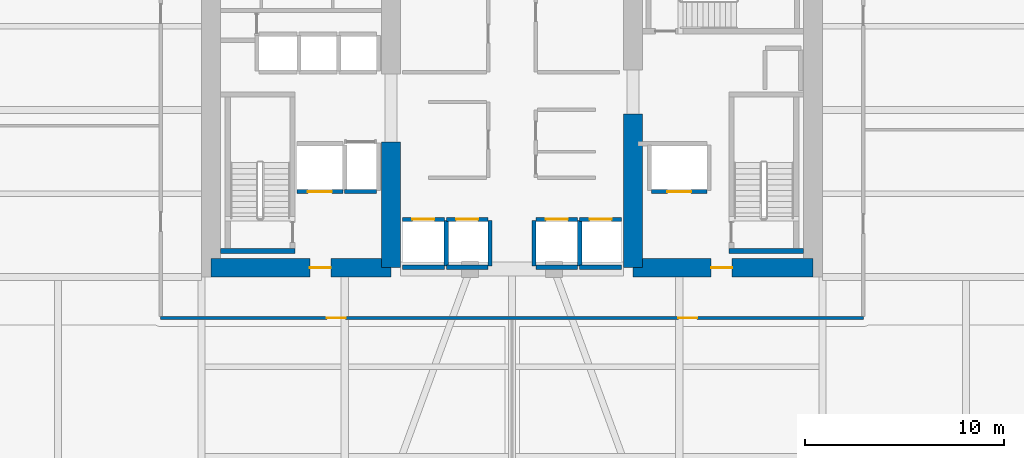
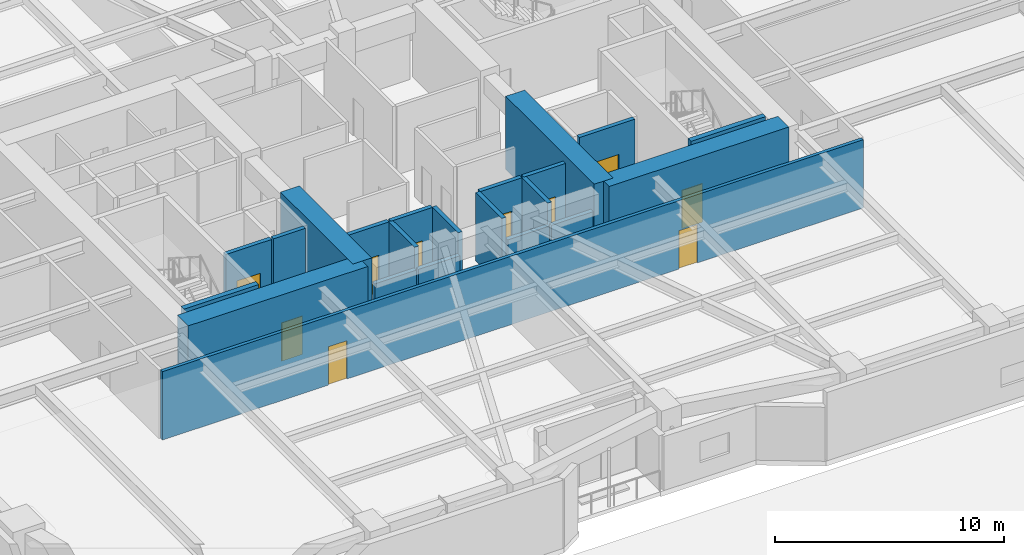
# One storey, part 28 of 38: 22 walls, 10 doors, 10 openings.
"""IFC4 building model written with IfcOpenShell, lengths in metres."""

from ifc_helpers import new_model, si_unit, direction, frame, frame_2d, origin, place, context, subcontext, project, spatial, rectangle, extrude, material, layer, layer_set, type_object, element, fill, save


model = new_model("IFC4")

# Units and contexts
model_context = context("Model", 3, precision=1e-05, world=origin(), true_north=direction((0.0, 1.0)))
body_context = subcontext(model_context, "Body", "Model", "MODEL_VIEW")
ifc_project = project(units=[si_unit("LENGTHUNIT", "METRE"), si_unit("AREAUNIT", "SQUARE_METRE"), si_unit("VOLUMEUNIT", "CUBIC_METRE"), si_unit("PLANEANGLEUNIT", "RADIAN"), si_unit("MASSUNIT", "GRAM", prefix="KILO")], contexts=[model_context])

# Site, building, storey
site_placement = place(None, origin())
site = spatial("IfcSite", under=ifc_project, at=site_placement, CompositionType="ELEMENT")
building_placement = place(site_placement, origin())
building = spatial("IfcBuilding", under=site, at=building_placement, Name="Kiyonajd Concourse Tower", CompositionType="ELEMENT")
storey_placement = place(building_placement, frame((0.0, 0.0, 21.60009765625)))
storey = spatial("IfcBuildingStorey", under=building, at=storey_placement, Name="L06", CompositionType="ELEMENT", Elevation=21.60009765625)

# Wall
ifc_material_1 = material(Name="Concrete C80/95", Category="concrete")
ifc_layer_1 = layer(ifc_material_1, 0.949951171875)
ifc_layer_set_1 = layer_set([ifc_layer_1], Name="Concrete C80/95")
wall_type_1 = type_object("IfcWallType", Name="WL-CORE-950", PredefinedType="SHEAR", material=ifc_layer_set_1)
wall_1_placement = place(storey_placement, frame((41.925048828125, 28.074951171875, 0.0), z_axis=(0.0, 0.0, 1.0), x_axis=(0.0, 1.0, 0.0)))
element("IfcWall", 1, at=wall_1_placement, inside=storey, type_object=wall_type_1, Name="L06 West Core Inner South Shear Wall", PredefinedType="SHEAR", context=body_context, shape_type="SweptSolid", body=[
    extrude(rectangle(XDim=6.324951171875, YDim=0.949951171875, at=frame_2d((3.16259765625, 0.0))), origin(), (0.0, 0.0, 1.0), 3.89990234375),
])

# Wall, opening, door
wall_2_placement = place(storey_placement, frame((32.875, 28.074951171875, 0.0), z_axis=(0.0, 0.0, 1.0), x_axis=(1.0, 0.0, 0.0)))
wall_2 = element("IfcWall", 2, at=wall_2_placement, inside=storey, type_object=wall_type_1, Name="L06 West Core South Shear Wall", PredefinedType="SHEAR", context=body_context, shape_type="SweptSolid", body=[
    extrude(rectangle(XDim=9.050048828125, YDim=0.949951171875, at=frame_2d((4.52490234375, 0.0))), origin(), (0.0, 0.0, 1.0), 3.89990234375),
])
opening_1_placement = place(wall_2_placement, frame((4.97509765625, 0.0, 0.0)))
opening_1 = element("IfcOpeningElement", 3, at=opening_1_placement, cuts=wall_2, Name="Opening DF5", PredefinedType="OPENING", context=body_context, shape_type="SweptSolid", body=[
    extrude(rectangle(XDim=1.050048828125, YDim=2.0400390625, at=frame_2d((0.52490234375, 1.02001953125))), frame((0.0, 0.48486328125, 0.0), z_axis=(0.0, -1.0, 0.0), x_axis=(1.0, 0.0, 0.0)), (0.0, 0.0, 1.0), 0.969970703125),
])
ifc_material_2 = material(Name="Brushed Stainless Steel Cab Assembly", Category="steel")
door_type_1 = type_object("IfcDoorType", Name="DR-FD45-1050", OperationType="NOTDEFINED", PredefinedType="DOOR", material=ifc_material_2)
door_1_placement = place(opening_1_placement, origin())
door_1 = element("IfcDoor", 4, at=door_1_placement, inside=storey, type_object=door_type_1, Name="L06 Firefighting Lift Lobby W Smoke Door", OperationType="SINGLE_SWING_LEFT", OverallHeight=2.0400390625, OverallWidth=1.050048828125, PredefinedType="DOOR", context=body_context, shape_type="SweptSolid", body=[
    extrude(rectangle(XDim=1.050048828125, YDim=2.0400390625, at=frame_2d((0.52490234375, 1.02001953125))), frame((0.0, 0.02490234375, 0.0), z_axis=(0.0, -1.0, 0.0), x_axis=(1.0, 0.0, 0.0)), (0.0, 0.0, 1.0), 0.050048828125),
])
fill(opening_1, door_1)

# Wall
wall_3_placement = place(storey_placement, frame((54.074951171875, 28.074951171875, 0.0), z_axis=(0.0, 0.0, 1.0), x_axis=(0.0, 1.0, 0.0)))
element("IfcWall", 5, at=wall_3_placement, inside=storey, type_object=wall_type_1, Name="L06 East Core Inner South Shear Wall", PredefinedType="SHEAR", context=body_context, shape_type="SweptSolid", body=[
    extrude(rectangle(XDim=7.72509765625, YDim=0.949951171875, at=frame_2d((3.862548828125, 0.0))), origin(), (0.0, 0.0, 1.0), 3.89990234375),
])

# Wall, opening, door
wall_4_placement = place(storey_placement, frame((54.074951171875, 28.074951171875, 0.0), z_axis=(0.0, 0.0, 1.0), x_axis=(1.0, 0.0, 0.0)))
wall_4 = element("IfcWall", 6, at=wall_4_placement, inside=storey, type_object=wall_type_1, Name="L06 East Core South Shear Wall", PredefinedType="SHEAR", context=body_context, shape_type="SweptSolid", body=[
    extrude(rectangle(XDim=9.050048828125, YDim=0.949951171875, at=frame_2d((4.52490234375, 0.0))), origin(), (0.0, 0.0, 1.0), 3.89990234375),
])
opening_2_placement = place(wall_4_placement, frame((3.925048828125, 0.0, 0.0)))
opening_2 = element("IfcOpeningElement", 7, at=opening_2_placement, cuts=wall_4, Name="Opening DF5", PredefinedType="OPENING", context=body_context, shape_type="SweptSolid", body=[
    extrude(rectangle(XDim=1.050048828125, YDim=2.0400390625, at=frame_2d((0.52490234375, 1.02001953125))), frame((0.0, 0.48486328125, 0.0), z_axis=(0.0, -1.0, 0.0), x_axis=(1.0, 0.0, 0.0)), (0.0, 0.0, 1.0), 0.969970703125),
])
door_2_placement = place(opening_2_placement, origin())
door_2 = element("IfcDoor", 8, at=door_2_placement, inside=storey, type_object=door_type_1, Name="L06 Firefighting Lift Lobby E Smoke Door", OperationType="SINGLE_SWING_RIGHT", OverallHeight=2.0400390625, OverallWidth=1.050048828125, PredefinedType="DOOR", context=body_context, shape_type="SweptSolid", body=[
    extrude(rectangle(XDim=1.050048828125, YDim=2.0400390625, at=frame_2d((0.52490234375, 1.02001953125))), frame((0.0, 0.02490234375, 0.0), z_axis=(0.0, -1.0, 0.0), x_axis=(1.0, 0.0, 0.0)), (0.0, 0.0, 1.0), 0.050048828125),
])
fill(opening_2, door_2)

ifc_material_3 = material(Name="Gypsum Board on Cold-Formed Steel Stud", Category="steel")
ifc_layer_2 = layer(ifc_material_3, 0.2099609375)
ifc_layer_set_2 = layer_set([ifc_layer_2], Name="Gypsum Board on Cold-Formed Steel Stud")
wall_type_2 = type_object("IfcWallType", Name="WL-SHAFT-210", PredefinedType="PARTITIONING", material=ifc_layer_set_2)
wall_5_placement = place(storey_placement, frame((37.199951171875, 31.89990234375, 0.0), z_axis=(0.0, 0.0, 1.0), x_axis=(1.0, 0.0, 0.0)))
wall_5 = element("IfcWall", 9, at=wall_5_placement, inside=storey, type_object=wall_type_2, Name="L06 Shaft Enclosure Wall", PredefinedType="PARTITIONING", context=body_context, shape_type="SweptSolid", body=[
    extrude(rectangle(XDim=2.300048828125, YDim=0.2099609375, at=frame_2d((1.14990234375, 0.0))), origin(), (0.0, 0.0, 1.0), 3.639892578125),
])
opening_3_placement = place(wall_5_placement, frame((0.550048828125, 0.0, 0.0)))
opening_3 = element("IfcOpeningElement", 10, at=opening_3_placement, cuts=wall_5, Name="Opening LD2", PredefinedType="OPENING", context=body_context, shape_type="SweptSolid", body=[
    extrude(rectangle(XDim=1.199951171875, YDim=2.0400390625, at=frame_2d((0.60009765625, 1.02001953125))), frame((0.0, 0.114990234375, 0.0), z_axis=(0.0, -1.0, 0.0), x_axis=(1.0, 0.0, 0.0)), (0.0, 0.0, 1.0), 0.22998046875),
])
door_type_2 = type_object("IfcDoorType", Name="DR-LD-1200", OperationType="DOUBLE_DOOR_SLIDING", PredefinedType="DOOR", material=ifc_material_2)
door_3_placement = place(opening_3_placement, origin())
door_3 = element("IfcDoor", 11, at=door_3_placement, inside=storey, type_object=door_type_2, Name="L06 Lift FFL1 Sliding Landing Door", OperationType="DOUBLE_DOOR_SLIDING", OverallHeight=2.0400390625, OverallWidth=1.199951171875, PredefinedType="DOOR", context=body_context, shape_type="SweptSolid", body=[
    extrude(rectangle(XDim=1.199951171875, YDim=2.0400390625, at=frame_2d((0.60009765625, 1.02001953125))), frame((0.0, 0.02490234375, 0.0), z_axis=(0.0, -1.0, 0.0), x_axis=(1.0, 0.0, 0.0)), (0.0, 0.0, 1.0), 0.050048828125),
])
fill(opening_3, door_3)

wall_6_placement = place(storey_placement, frame((55.0, 31.89990234375, 0.0), z_axis=(0.0, 0.0, 1.0), x_axis=(1.0, 0.0, 0.0)))
wall_6 = element("IfcWall", 12, at=wall_6_placement, inside=storey, type_object=wall_type_2, Name="L06 Shaft Enclosure Wall", PredefinedType="PARTITIONING", context=body_context, shape_type="SweptSolid", body=[
    extrude(rectangle(XDim=2.800048828125, YDim=0.2099609375, at=frame_2d((1.39990234375, 0.0))), origin(), (0.0, 0.0, 1.0), 3.639892578125),
])
opening_4_placement = place(wall_6_placement, frame((0.800048828125, 0.0, 0.0)))
opening_4 = element("IfcOpeningElement", 13, at=opening_4_placement, cuts=wall_6, Name="Opening LD2", PredefinedType="OPENING", context=body_context, shape_type="SweptSolid", body=[
    extrude(rectangle(XDim=1.199951171875, YDim=2.0400390625, at=frame_2d((0.60009765625, 1.02001953125))), frame((0.0, 0.114990234375, 0.0), z_axis=(0.0, -1.0, 0.0), x_axis=(1.0, 0.0, 0.0)), (0.0, 0.0, 1.0), 0.22998046875),
])
door_4_placement = place(opening_4_placement, origin())
door_4 = element("IfcDoor", 14, at=door_4_placement, inside=storey, type_object=door_type_2, Name="L06 Lift FFL2 Sliding Landing Door", OperationType="DOUBLE_DOOR_SLIDING", OverallHeight=2.0400390625, OverallWidth=1.199951171875, PredefinedType="DOOR", context=body_context, shape_type="SweptSolid", body=[
    extrude(rectangle(XDim=1.199951171875, YDim=2.0400390625, at=frame_2d((0.60009765625, 1.02001953125))), frame((0.0, 0.02490234375, 0.0), z_axis=(0.0, -1.0, 0.0), x_axis=(1.0, 0.0, 0.0)), (0.0, 0.0, 1.0), 0.050048828125),
])
fill(opening_4, door_4)

# Wall
wall_7_placement = place(storey_placement, frame((39.60009765625, 31.89990234375, 0.0), z_axis=(0.0, 0.0, 1.0), x_axis=(1.0, 0.0, 0.0)))
element("IfcWall", 15, at=wall_7_placement, inside=storey, type_object=wall_type_2, Name="L06 Shaft Enclosure Wall", PredefinedType="PARTITIONING", context=body_context, shape_type="SweptSolid", body=[
    extrude(rectangle(XDim=1.599853515625, YDim=0.2099609375, at=frame_2d((0.7998046875, 0.0))), origin(), (0.0, 0.0, 1.0), 3.639892578125),
])

# Wall, opening, door
wall_8_placement = place(storey_placement, frame((42.5, 30.5, 0.0), z_axis=(0.0, 0.0, 1.0), x_axis=(1.0, 0.0, 0.0)))
wall_8 = element("IfcWall", 16, at=wall_8_placement, inside=storey, type_object=wall_type_2, Name="L06 Shaft Enclosure Wall", PredefinedType="PARTITIONING", context=body_context, shape_type="SweptSolid", body=[
    extrude(rectangle(XDim=2.10009765625, YDim=0.2099609375, at=frame_2d((1.050048828125, 0.0))), origin(), (0.0, 0.0, 1.0), 3.639892578125),
])
opening_5_placement = place(wall_8_placement, frame((0.5, 0.0, 0.0)))
opening_5 = element("IfcOpeningElement", 17, at=opening_5_placement, cuts=wall_8, Name="Opening LD1", PredefinedType="OPENING", context=body_context, shape_type="SweptSolid", body=[
    extrude(rectangle(XDim=1.10009765625, YDim=2.0400390625, at=frame_2d((0.550048828125, 1.02001953125))), frame((0.0, 0.114990234375, 0.0), z_axis=(0.0, -1.0, 0.0), x_axis=(1.0, 0.0, 0.0)), (0.0, 0.0, 1.0), 0.22998046875),
])
door_type_3 = type_object("IfcDoorType", Name="DR-LD-1100", OperationType="DOUBLE_DOOR_SLIDING", PredefinedType="DOOR", material=ifc_material_2)
door_5_placement = place(opening_5_placement, origin())
door_5 = element("IfcDoor", 18, at=door_5_placement, inside=storey, type_object=door_type_3, Name="L06 Lift PL-L1 Sliding Landing Door", OperationType="DOUBLE_DOOR_SLIDING", OverallHeight=2.0400390625, OverallWidth=1.10009765625, PredefinedType="DOOR", context=body_context, shape_type="SweptSolid", body=[
    extrude(rectangle(XDim=1.10009765625, YDim=2.0400390625, at=frame_2d((0.550048828125, 1.02001953125))), frame((0.0, 0.02490234375, 0.0), z_axis=(0.0, -1.0, 0.0), x_axis=(1.0, 0.0, 0.0)), (0.0, 0.0, 1.0), 0.050048828125),
])
fill(opening_5, door_5)

# Walls
wall_9_placement = place(storey_placement, frame((42.5, 28.10009765625, 0.0), z_axis=(0.0, 0.0, 1.0), x_axis=(1.0, 0.0, 0.0)))
element("IfcWall", 19, at=wall_9_placement, inside=storey, type_object=wall_type_2, Name="L06 Shaft Enclosure Wall", PredefinedType="PARTITIONING", context=body_context, shape_type="SweptSolid", body=[
    extrude(rectangle(XDim=2.10009765625, YDim=0.2099609375, at=frame_2d((1.050048828125, 0.0))), origin(), (0.0, 0.0, 1.0), 2.52490234375),
])
wall_10_placement = place(storey_placement, frame((44.699951171875, 28.159912109375, 0.0), z_axis=(0.0, 0.0, 1.0), x_axis=(0.0, 1.0, 0.0)))
element("IfcWall", 20, at=wall_10_placement, inside=storey, type_object=wall_type_2, Name="L06 Shaft Enclosure Wall", PredefinedType="PARTITIONING", context=body_context, shape_type="SweptSolid", body=[
    extrude(rectangle(XDim=2.280029296875, YDim=0.2099609375, at=frame_2d((1.14013671875, 0.0))), origin(), (0.0, 0.0, 1.0), 3.639892578125),
])

# Wall, opening, door
wall_11_placement = place(storey_placement, frame((44.699951171875, 30.5, 0.0), z_axis=(0.0, 0.0, 1.0), x_axis=(1.0, 0.0, 0.0)))
wall_11 = element("IfcWall", 21, at=wall_11_placement, inside=storey, type_object=wall_type_2, Name="L06 Shaft Enclosure Wall", PredefinedType="PARTITIONING", context=body_context, shape_type="SweptSolid", body=[
    extrude(rectangle(XDim=2.10009765625, YDim=0.2099609375, at=frame_2d((1.050048828125, 0.0))), origin(), (0.0, 0.0, 1.0), 3.639892578125),
])
opening_6_placement = place(wall_11_placement, frame((0.5, 0.0, 0.0)))
opening_6 = element("IfcOpeningElement", 22, at=opening_6_placement, cuts=wall_11, Name="Opening LD1", PredefinedType="OPENING", context=body_context, shape_type="SweptSolid", body=[
    extrude(rectangle(XDim=1.10009765625, YDim=2.0400390625, at=frame_2d((0.550048828125, 1.02001953125))), frame((0.0, 0.114990234375, 0.0), z_axis=(0.0, -1.0, 0.0), x_axis=(1.0, 0.0, 0.0)), (0.0, 0.0, 1.0), 0.22998046875),
])
door_6_placement = place(opening_6_placement, origin())
door_6 = element("IfcDoor", 23, at=door_6_placement, inside=storey, type_object=door_type_3, Name="L06 Lift PL-L2 Sliding Landing Door", OperationType="DOUBLE_DOOR_SLIDING", OverallHeight=2.0400390625, OverallWidth=1.10009765625, PredefinedType="DOOR", context=body_context, shape_type="SweptSolid", body=[
    extrude(rectangle(XDim=1.10009765625, YDim=2.0400390625, at=frame_2d((0.550048828125, 1.02001953125))), frame((0.0, 0.02490234375, 0.0), z_axis=(0.0, -1.0, 0.0), x_axis=(1.0, 0.0, 0.0)), (0.0, 0.0, 1.0), 0.050048828125),
])
fill(opening_6, door_6)

# Walls
wall_12_placement = place(storey_placement, frame((44.699951171875, 28.10009765625, 0.0), z_axis=(0.0, 0.0, 1.0), x_axis=(1.0, 0.0, 0.0)))
element("IfcWall", 24, at=wall_12_placement, inside=storey, type_object=wall_type_2, Name="L06 Shaft Enclosure Wall", PredefinedType="PARTITIONING", context=body_context, shape_type="SweptSolid", body=[
    extrude(rectangle(XDim=2.10009765625, YDim=0.2099609375, at=frame_2d((1.050048828125, 0.0))), origin(), (0.0, 0.0, 1.0), 2.52490234375),
])
wall_13_placement = place(storey_placement, frame((46.89990234375, 28.159912109375, 0.0), z_axis=(0.0, 0.0, 1.0), x_axis=(0.0, 1.0, 0.0)))
element("IfcWall", 25, at=wall_13_placement, inside=storey, type_object=wall_type_2, Name="L06 Shaft Enclosure Wall", PredefinedType="PARTITIONING", context=body_context, shape_type="SweptSolid", body=[
    extrude(rectangle(XDim=2.280029296875, YDim=0.2099609375, at=frame_2d((1.14013671875, 0.0))), origin(), (0.0, 0.0, 1.0), 3.639892578125),
])

# Wall, opening, door
wall_14_placement = place(storey_placement, frame((49.199951171875, 30.5, 0.0), z_axis=(0.0, 0.0, 1.0), x_axis=(1.0, 0.0, 0.0)))
wall_14 = element("IfcWall", 26, at=wall_14_placement, inside=storey, type_object=wall_type_2, Name="L06 Shaft Enclosure Wall", PredefinedType="PARTITIONING", context=body_context, shape_type="SweptSolid", body=[
    extrude(rectangle(XDim=2.10009765625, YDim=0.2099609375, at=frame_2d((1.050048828125, 0.0))), origin(), (0.0, 0.0, 1.0), 3.639892578125),
])
opening_7_placement = place(wall_14_placement, frame((0.5, 0.0, 0.0)))
opening_7 = element("IfcOpeningElement", 27, at=opening_7_placement, cuts=wall_14, Name="Opening LD1", PredefinedType="OPENING", context=body_context, shape_type="SweptSolid", body=[
    extrude(rectangle(XDim=1.10009765625, YDim=2.0400390625, at=frame_2d((0.550048828125, 1.02001953125))), frame((0.0, 0.114990234375, 0.0), z_axis=(0.0, -1.0, 0.0), x_axis=(1.0, 0.0, 0.0)), (0.0, 0.0, 1.0), 0.22998046875),
])
door_7_placement = place(opening_7_placement, origin())
door_7 = element("IfcDoor", 28, at=door_7_placement, inside=storey, type_object=door_type_3, Name="L06 Lift PL-L3 Sliding Landing Door", OperationType="DOUBLE_DOOR_SLIDING", OverallHeight=2.0400390625, OverallWidth=1.10009765625, PredefinedType="DOOR", context=body_context, shape_type="SweptSolid", body=[
    extrude(rectangle(XDim=1.10009765625, YDim=2.0400390625, at=frame_2d((0.550048828125, 1.02001953125))), frame((0.0, 0.02490234375, 0.0), z_axis=(0.0, -1.0, 0.0), x_axis=(1.0, 0.0, 0.0)), (0.0, 0.0, 1.0), 0.050048828125),
])
fill(opening_7, door_7)

# Walls
wall_15_placement = place(storey_placement, frame((49.199951171875, 28.10009765625, 0.0), z_axis=(0.0, 0.0, 1.0), x_axis=(1.0, 0.0, 0.0)))
element("IfcWall", 29, at=wall_15_placement, inside=storey, type_object=wall_type_2, Name="L06 Shaft Enclosure Wall", PredefinedType="PARTITIONING", context=body_context, shape_type="SweptSolid", body=[
    extrude(rectangle(XDim=2.10009765625, YDim=0.2099609375, at=frame_2d((1.050048828125, 0.0))), origin(), (0.0, 0.0, 1.0), 2.52490234375),
])
for number, where, z_axis, x_axis, name in (
    (30, (49.10009765625, 28.159912109375, 0.0), (0.0, 0.0, 1.0), (0.0, 1.0, 0.0), "L06 Shaft Enclosure Wall"),
    (31, (51.39990234375, 28.159912109375, 0.0), (0.0, 0.0, 1.0), (0.0, 1.0, 0.0), "L06 Shaft Enclosure Wall"),
):
    element("IfcWall", number, at=place(storey_placement, frame(where, z_axis=z_axis, x_axis=x_axis)), inside=storey, type_object=wall_type_2, Name=name, PredefinedType="PARTITIONING", context=body_context, shape_type="SweptSolid", body=[
        extrude(rectangle(XDim=2.280029296875, YDim=0.2099609375, at=frame_2d((1.14013671875, 0.0))), origin(), (0.0, 0.0, 1.0), 3.639892578125),
    ])

# Wall, opening, door
wall_16_placement = place(storey_placement, frame((51.39990234375, 30.5, 0.0), z_axis=(0.0, 0.0, 1.0), x_axis=(1.0, 0.0, 0.0)))
wall_16 = element("IfcWall", 32, at=wall_16_placement, inside=storey, type_object=wall_type_2, Name="L06 Shaft Enclosure Wall", PredefinedType="PARTITIONING", context=body_context, shape_type="SweptSolid", body=[
    extrude(rectangle(XDim=2.10009765625, YDim=0.2099609375, at=frame_2d((1.050048828125, 0.0))), origin(), (0.0, 0.0, 1.0), 3.639892578125),
])
opening_8_placement = place(wall_16_placement, frame((0.5, 0.0, 0.0)))
opening_8 = element("IfcOpeningElement", 33, at=opening_8_placement, cuts=wall_16, Name="Opening LD1", PredefinedType="OPENING", context=body_context, shape_type="SweptSolid", body=[
    extrude(rectangle(XDim=1.10009765625, YDim=2.0400390625, at=frame_2d((0.550048828125, 1.02001953125))), frame((0.0, 0.114990234375, 0.0), z_axis=(0.0, -1.0, 0.0), x_axis=(1.0, 0.0, 0.0)), (0.0, 0.0, 1.0), 0.22998046875),
])
door_8_placement = place(opening_8_placement, origin())
door_8 = element("IfcDoor", 34, at=door_8_placement, inside=storey, type_object=door_type_3, Name="L06 Lift PL-L4 Sliding Landing Door", OperationType="DOUBLE_DOOR_SLIDING", OverallHeight=2.0400390625, OverallWidth=1.10009765625, PredefinedType="DOOR", context=body_context, shape_type="SweptSolid", body=[
    extrude(rectangle(XDim=1.10009765625, YDim=2.0400390625, at=frame_2d((0.550048828125, 1.02001953125))), frame((0.0, 0.02490234375, 0.0), z_axis=(0.0, -1.0, 0.0), x_axis=(1.0, 0.0, 0.0)), (0.0, 0.0, 1.0), 0.050048828125),
])
fill(opening_8, door_8)

# Wall
wall_17_placement = place(storey_placement, frame((51.39990234375, 28.10009765625, 0.0), z_axis=(0.0, 0.0, 1.0), x_axis=(1.0, 0.0, 0.0)))
element("IfcWall", 35, at=wall_17_placement, inside=storey, type_object=wall_type_2, Name="L06 Shaft Enclosure Wall", PredefinedType="PARTITIONING", context=body_context, shape_type="SweptSolid", body=[
    extrude(rectangle(XDim=2.10009765625, YDim=0.2099609375, at=frame_2d((1.050048828125, 0.0))), origin(), (0.0, 0.0, 1.0), 2.52490234375),
])

# Wall, openings, doors
ifc_layer_3 = layer(ifc_material_3, 0.169921875)
ifc_layer_set_3 = layer_set([ifc_layer_3], Name="Gypsum Board on Cold-Formed Steel Stud")
wall_type_3 = type_object("IfcWallType", Name="WL-SMK-170", PredefinedType="PARTITIONING", material=ifc_layer_set_3)
wall_18_placement = place(storey_placement, frame((30.35009765625, 25.550048828125, 0.0), z_axis=(0.0, 0.0, 1.0), x_axis=(1.0, 0.0, 0.0)))
wall_18 = element("IfcWall", 36, at=wall_18_placement, inside=storey, type_object=wall_type_3, Name="L06 Interior Partition Wall", PredefinedType="PARTITIONING", context=body_context, shape_type="SweptSolid", body=[
    extrude(rectangle(XDim=35.2998046875, YDim=0.169921875, at=frame_2d((17.64990234375, 0.0))), origin(), (0.0, 0.0, 1.0), 3.639892578125),
])
opening_9_placement = place(wall_18_placement, frame((8.35009765625, 0.0, 0.0)))
opening_9 = element("IfcOpeningElement", 37, at=opening_9_placement, cuts=wall_18, Name="Opening DI1", PredefinedType="OPENING", context=body_context, shape_type="SweptSolid", body=[
    extrude(rectangle(XDim=0.949951171875, YDim=2.0400390625, at=frame_2d((0.47509765625, 1.02001953125))), frame((0.0, 0.094970703125, 0.0), z_axis=(0.0, -1.0, 0.0), x_axis=(1.0, 0.0, 0.0)), (0.0, 0.0, 1.0), 0.18994140625),
])
opening_10_placement = place(wall_18_placement, frame((26.0, 0.0, 0.0)))
opening_10 = element("IfcOpeningElement", 38, at=opening_10_placement, cuts=wall_18, Name="Opening DI1", PredefinedType="OPENING", context=body_context, shape_type="SweptSolid", body=[
    extrude(rectangle(XDim=0.949951171875, YDim=2.0400390625, at=frame_2d((0.47509765625, 1.02001953125))), frame((0.0, 0.094970703125, 0.0), z_axis=(0.0, -1.0, 0.0), x_axis=(1.0, 0.0, 0.0)), (0.0, 0.0, 1.0), 0.18994140625),
])
ifc_material_4 = material(Name="Natural Oak Acoustic Timber Veneer", Category="wood")
door_type_4 = type_object("IfcDoorType", Name="DR-INT-950", OperationType="NOTDEFINED", PredefinedType="DOOR", material=ifc_material_4)
door_9_placement = place(opening_9_placement, origin())
door_9 = element("IfcDoor", 39, at=door_9_placement, inside=storey, type_object=door_type_4, Name="L06 Interior Door", OperationType="SINGLE_SWING_RIGHT", OverallHeight=2.0400390625, OverallWidth=0.949951171875, PredefinedType="DOOR", context=body_context, shape_type="SweptSolid", body=[
    extrude(rectangle(XDim=0.949951171875, YDim=2.0400390625, at=frame_2d((0.47509765625, 1.02001953125))), frame((0.0, 0.02490234375, 0.0), z_axis=(0.0, -1.0, 0.0), x_axis=(1.0, 0.0, 0.0)), (0.0, 0.0, 1.0), 0.050048828125),
])
fill(opening_9, door_9)
door_10_placement = place(opening_10_placement, origin())
door_10 = element("IfcDoor", 40, at=door_10_placement, inside=storey, type_object=door_type_4, Name="L06 Interior Door", OperationType="SINGLE_SWING_LEFT", OverallHeight=2.0400390625, OverallWidth=0.949951171875, PredefinedType="DOOR", context=body_context, shape_type="SweptSolid", body=[
    extrude(rectangle(XDim=0.949951171875, YDim=2.0400390625, at=frame_2d((0.47509765625, 1.02001953125))), frame((0.0, 0.02490234375, 0.0), z_axis=(0.0, -1.0, 0.0), x_axis=(1.0, 0.0, 0.0)), (0.0, 0.0, 1.0), 0.050048828125),
])
fill(opening_10, door_10)

# Walls
ifc_material_5 = material(Name="Concrete C50/60", Category="concrete")
ifc_layer_4 = layer(ifc_material_5, 0.260009765625)
ifc_layer_set_4 = layer_set([ifc_layer_4], Name="Concrete C50/60")
wall_type_4 = type_object("IfcWallType", Name="WL-STAIR-260", PredefinedType="SHEAR", material=ifc_layer_set_4)
for number, where, z_axis, x_axis, name in (
    (41, (33.35009765625, 28.919921875, 0.0), (0.0, 0.0, 1.0), (1.0, 0.0, 0.0), "L06 Stair ST1 Structural South Wall"),
    (42, (58.889892578125, 28.919921875, 0.0), (0.0, 0.0, 1.0), (1.0, 0.0, 0.0), "L06 Stair ST2 Structural South Wall"),
):
    element("IfcWall", number, at=place(storey_placement, frame(where, z_axis=z_axis, x_axis=x_axis)), inside=storey, type_object=wall_type_4, Name=name, PredefinedType="SHEAR", context=body_context, shape_type="SweptSolid", body=[
        extrude(rectangle(XDim=3.760009765625, YDim=0.260009765625, at=frame_2d((1.8798828125, 0.0))), origin(), (0.0, 0.0, 1.0), 3.89990234375),
    ])

save(model, "model.ifc")
